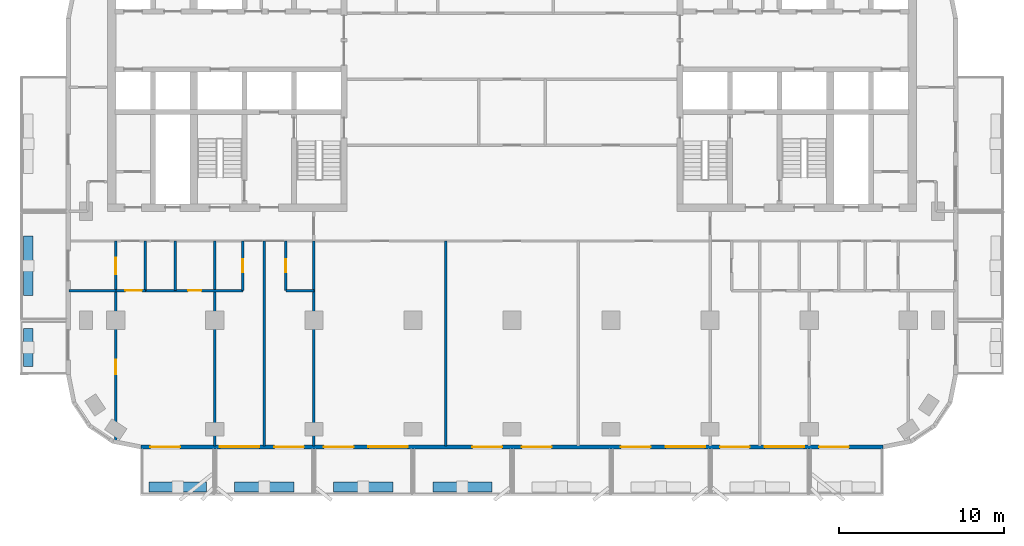
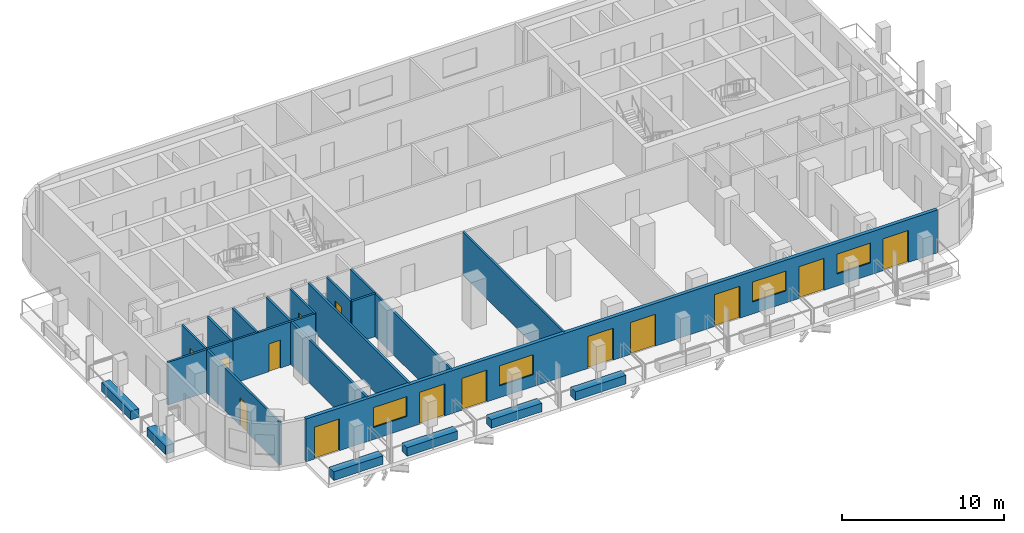
# One storey, part 2 of 11: 21 walls, 14 doors, 4 windows, 18 openings.
"""IFC4 building model written with IfcOpenShell, lengths in metres."""

from ifc_helpers import new_model, si_unit, direction, frame, frame_2d, origin, place, context, subcontext, project, spatial, rectangle, extrude, material, layer, layer_set, type_object, element, fill, save


model = new_model("IFC4")

# Units and contexts
model_context = context("Model", 3, precision=1e-05, world=origin(), true_north=direction((0.0, 1.0)))
body_context = subcontext(model_context, "Body", "Model", "MODEL_VIEW")
ifc_project = project(units=[si_unit("LENGTHUNIT", "METRE"), si_unit("AREAUNIT", "SQUARE_METRE"), si_unit("VOLUMEUNIT", "CUBIC_METRE"), si_unit("PLANEANGLEUNIT", "RADIAN"), si_unit("MASSUNIT", "GRAM", prefix="KILO")], contexts=[model_context])

# Site, building, storey
site_placement = place(None, origin())
site = spatial("IfcSite", under=ifc_project, at=site_placement, CompositionType="ELEMENT")
building_placement = place(site_placement, origin())
building = spatial("IfcBuilding", under=site, at=building_placement, Name="Torana Hotel and Residences", CompositionType="ELEMENT")
storey_placement = place(building_placement, frame((0.0, 0.0, 183.60009765625)))
storey = spatial("IfcBuildingStorey", under=building, at=storey_placement, Name="L47", CompositionType="ELEMENT", Elevation=183.60009765625)

# Wall, openings, doors, windows
ifc_material_1 = material(Name="Black aluminium composite panel", Category="aluminium")
ifc_layer_1 = layer(ifc_material_1, 0.00390625, Name="Cladding", Category="cladding")
ifc_material_2 = material(Name="Ventilated air cavity")
ifc_layer_2 = layer(ifc_material_2, 0.0400390625, Name="Ventilated cavity", Category="cavity")
ifc_material_3 = material(Name="Mineral wool insulation")
ifc_layer_3 = layer(ifc_material_3, 0.090087890625, Name="Insulation", Category="insulation")
ifc_material_4 = material(Name="Steel S280GD", Category="steel")
ifc_layer_4 = layer(ifc_material_4, 0.092041015625, Name="Steel stud frame", Category="structure")
ifc_material_5 = material(Name="Fire rated plasterboard")
ifc_layer_5 = layer(ifc_material_5, 0.011962890625, Name="Inner board", Category="finish")
ifc_layer_6 = layer(ifc_material_5, 0.011962890625, Name="Second board", Category="finish")
ifc_layer_set_1 = layer_set([ifc_layer_1, ifc_layer_2, ifc_layer_3, ifc_layer_4, ifc_layer_5, ifc_layer_6], Name="EW1 EXTERNAL WALL BLACK METAL CLAD 250")
wall_type_1 = type_object("IfcWallType", Name="EW1 EXTERNAL WALL BLACK METAL CLAD 250", PredefinedType="SOLIDWALL", material=ifc_layer_set_1)
wall_1_placement = place(storey_placement, frame((-22.475341796875, -29.27490234375, 0.0), z_axis=(0.0, 0.0, 1.0), x_axis=(1.0, 0.0, 0.0)))
wall_1 = element("IfcWall", 1, at=wall_1_placement, inside=storey, type_object=wall_type_1, Name="External wall L47 e0.14", PredefinedType="SOLIDWALL", context=body_context, shape_type="SweptSolid", body=[
    extrude(rectangle(XDim=44.95068359375, YDim=0.25, at=frame_2d((22.475341796875, 0.0))), origin(), (0.0, 0.0, 1.0), 3.219970703125),
])
opening_1_placement = place(wall_1_placement, frame((0.575439453125, 0.0, 0.0)))
opening_1 = element("IfcOpeningElement", 2, at=opening_1_placement, cuts=wall_1, Name="Opening L47-E01", PredefinedType="OPENING", context=body_context, shape_type="SweptSolid", body=[
    extrude(rectangle(XDim=1.800048828125, YDim=2.39990234375, at=frame_2d((0.89990234375, 1.199951171875))), frame((0.0, 0.135009765625, 0.0), z_axis=(0.0, -1.0, 0.0), x_axis=(1.0, 0.0, 0.0)), (0.0, 0.0, 1.0), 0.27001953125),
])
opening_2_placement = place(wall_1_placement, frame((4.775390625, 0.0, 0.89990234375)))
opening_2 = element("IfcOpeningElement", 3, at=opening_2_placement, cuts=wall_1, Name="Opening W3", PredefinedType="OPENING", context=body_context, shape_type="SweptSolid", body=[
    extrude(rectangle(XDim=2.39990234375, YDim=1.5, at=frame_2d((1.199951171875, 0.75))), frame((0.0, 0.135009765625, 0.0), z_axis=(0.0, -1.0, 0.0), x_axis=(1.0, 0.0, 0.0)), (0.0, 0.0, 1.0), 0.27001953125),
])
opening_3_placement = place(wall_1_placement, frame((8.075439453125, 0.0, 0.0)))
opening_3 = element("IfcOpeningElement", 4, at=opening_3_placement, cuts=wall_1, Name="Opening L47-E02", PredefinedType="OPENING", context=body_context, shape_type="SweptSolid", body=[
    extrude(rectangle(XDim=1.800048828125, YDim=2.39990234375, at=frame_2d((0.89990234375, 1.199951171875))), frame((0.0, 0.135009765625, 0.0), z_axis=(0.0, -1.0, 0.0), x_axis=(1.0, 0.0, 0.0)), (0.0, 0.0, 1.0), 0.27001953125),
])
opening_4_placement = place(wall_1_placement, frame((11.075439453125, 0.0, 0.0)))
opening_4 = element("IfcOpeningElement", 5, at=opening_4_placement, cuts=wall_1, Name="Opening L47-E03", PredefinedType="OPENING", context=body_context, shape_type="SweptSolid", body=[
    extrude(rectangle(XDim=1.800048828125, YDim=2.39990234375, at=frame_2d((0.89990234375, 1.199951171875))), frame((0.0, 0.135009765625, 0.0), z_axis=(0.0, -1.0, 0.0), x_axis=(1.0, 0.0, 0.0)), (0.0, 0.0, 1.0), 0.27001953125),
])
opening_5_placement = place(wall_1_placement, frame((13.775390625, 0.0, 0.89990234375)))
opening_5 = element("IfcOpeningElement", 6, at=opening_5_placement, cuts=wall_1, Name="Opening W3", PredefinedType="OPENING", context=body_context, shape_type="SweptSolid", body=[
    extrude(rectangle(XDim=2.39990234375, YDim=1.5, at=frame_2d((1.199951171875, 0.75))), frame((0.0, 0.135009765625, 0.0), z_axis=(0.0, -1.0, 0.0), x_axis=(1.0, 0.0, 0.0)), (0.0, 0.0, 1.0), 0.27001953125),
])
opening_6_placement = place(wall_1_placement, frame((20.075439453125, 0.0, 0.0)))
opening_6 = element("IfcOpeningElement", 7, at=opening_6_placement, cuts=wall_1, Name="Opening L47-E04", PredefinedType="OPENING", context=body_context, shape_type="SweptSolid", body=[
    extrude(rectangle(XDim=1.800048828125, YDim=2.39990234375, at=frame_2d((0.89990234375, 1.199951171875))), frame((0.0, 0.135009765625, 0.0), z_axis=(0.0, -1.0, 0.0), x_axis=(1.0, 0.0, 0.0)), (0.0, 0.0, 1.0), 0.27001953125),
])
opening_7_placement = place(wall_1_placement, frame((23.075439453125, 0.0, 0.0)))
opening_7 = element("IfcOpeningElement", 8, at=opening_7_placement, cuts=wall_1, Name="Opening L47-E05", PredefinedType="OPENING", context=body_context, shape_type="SweptSolid", body=[
    extrude(rectangle(XDim=1.800048828125, YDim=2.39990234375, at=frame_2d((0.89990234375, 1.199951171875))), frame((0.0, 0.135009765625, 0.0), z_axis=(0.0, -1.0, 0.0), x_axis=(1.0, 0.0, 0.0)), (0.0, 0.0, 1.0), 0.27001953125),
])
opening_8_placement = place(wall_1_placement, frame((29.075439453125, 0.0, 0.0)))
opening_8 = element("IfcOpeningElement", 9, at=opening_8_placement, cuts=wall_1, Name="Opening L47-E06", PredefinedType="OPENING", context=body_context, shape_type="SweptSolid", body=[
    extrude(rectangle(XDim=1.800048828125, YDim=2.39990234375, at=frame_2d((0.89990234375, 1.199951171875))), frame((0.0, 0.135009765625, 0.0), z_axis=(0.0, -1.0, 0.0), x_axis=(1.0, 0.0, 0.0)), (0.0, 0.0, 1.0), 0.27001953125),
])
opening_9_placement = place(wall_1_placement, frame((31.775390625, 0.0, 0.89990234375)))
opening_9 = element("IfcOpeningElement", 10, at=opening_9_placement, cuts=wall_1, Name="Opening W3", PredefinedType="OPENING", context=body_context, shape_type="SweptSolid", body=[
    extrude(rectangle(XDim=2.39990234375, YDim=1.5, at=frame_2d((1.199951171875, 0.75))), frame((0.0, 0.135009765625, 0.0), z_axis=(0.0, -1.0, 0.0), x_axis=(1.0, 0.0, 0.0)), (0.0, 0.0, 1.0), 0.27001953125),
])
opening_10_placement = place(wall_1_placement, frame((35.075439453125, 0.0, 0.0)))
opening_10 = element("IfcOpeningElement", 11, at=opening_10_placement, cuts=wall_1, Name="Opening L47-E07", PredefinedType="OPENING", context=body_context, shape_type="SweptSolid", body=[
    extrude(rectangle(XDim=1.800048828125, YDim=2.39990234375, at=frame_2d((0.89990234375, 1.199951171875))), frame((0.0, 0.135009765625, 0.0), z_axis=(0.0, -1.0, 0.0), x_axis=(1.0, 0.0, 0.0)), (0.0, 0.0, 1.0), 0.27001953125),
])
opening_11_placement = place(wall_1_placement, frame((37.775390625, 0.0, 0.89990234375)))
opening_11 = element("IfcOpeningElement", 12, at=opening_11_placement, cuts=wall_1, Name="Opening W3", PredefinedType="OPENING", context=body_context, shape_type="SweptSolid", body=[
    extrude(rectangle(XDim=2.39990234375, YDim=1.5, at=frame_2d((1.199951171875, 0.75))), frame((0.0, 0.135009765625, 0.0), z_axis=(0.0, -1.0, 0.0), x_axis=(1.0, 0.0, 0.0)), (0.0, 0.0, 1.0), 0.27001953125),
])
opening_12_placement = place(wall_1_placement, frame((41.075439453125, 0.0, 0.0)))
opening_12 = element("IfcOpeningElement", 13, at=opening_12_placement, cuts=wall_1, Name="Opening L47-E08", PredefinedType="OPENING", context=body_context, shape_type="SweptSolid", body=[
    extrude(rectangle(XDim=1.800048828125, YDim=2.39990234375, at=frame_2d((0.89990234375, 1.199951171875))), frame((0.0, 0.135009765625, 0.0), z_axis=(0.0, -1.0, 0.0), x_axis=(1.0, 0.0, 0.0)), (0.0, 0.0, 1.0), 0.27001953125),
])
ifc_material_6 = material(Name="Dark glass in black aluminium frame", Category="aluminium")
door_type_1 = type_object("IfcDoorType", Name="DB1 BALCONY DOOR 1800x2400", OperationType="DOUBLE_DOOR_SINGLE_SWING", PredefinedType="DOOR", material=ifc_material_6)
door_1_placement = place(opening_1_placement, origin())
door_1 = element("IfcDoor", 14, at=door_1_placement, inside=storey, type_object=door_type_1, Name="Balcony door L47", OperationType="DOUBLE_DOOR_SINGLE_SWING", OverallHeight=2.39990234375, OverallWidth=1.800048828125, PredefinedType="DOOR", context=body_context, shape_type="SweptSolid", body=[
    extrude(rectangle(XDim=1.800048828125, YDim=2.39990234375, at=frame_2d((0.89990234375, 1.199951171875))), frame((0.0, 0.02490234375, 0.0), z_axis=(0.0, -1.0, 0.0), x_axis=(1.0, 0.0, 0.0)), (0.0, 0.0, 1.0), 0.050048828125),
])
fill(opening_1, door_1)
door_2_placement = place(opening_3_placement, origin())
door_2 = element("IfcDoor", 15, at=door_2_placement, inside=storey, type_object=door_type_1, Name="Balcony door L47", OperationType="DOUBLE_DOOR_SINGLE_SWING", OverallHeight=2.39990234375, OverallWidth=1.800048828125, PredefinedType="DOOR", context=body_context, shape_type="SweptSolid", body=[
    extrude(rectangle(XDim=1.800048828125, YDim=2.39990234375, at=frame_2d((0.89990234375, 1.199951171875))), frame((0.0, 0.02490234375, 0.0), z_axis=(0.0, -1.0, 0.0), x_axis=(1.0, 0.0, 0.0)), (0.0, 0.0, 1.0), 0.050048828125),
])
fill(opening_3, door_2)
door_3_placement = place(opening_4_placement, origin())
door_3 = element("IfcDoor", 16, at=door_3_placement, inside=storey, type_object=door_type_1, Name="Balcony door L47", OperationType="DOUBLE_DOOR_SINGLE_SWING", OverallHeight=2.39990234375, OverallWidth=1.800048828125, PredefinedType="DOOR", context=body_context, shape_type="SweptSolid", body=[
    extrude(rectangle(XDim=1.800048828125, YDim=2.39990234375, at=frame_2d((0.89990234375, 1.199951171875))), frame((0.0, 0.02490234375, 0.0), z_axis=(0.0, -1.0, 0.0), x_axis=(1.0, 0.0, 0.0)), (0.0, 0.0, 1.0), 0.050048828125),
])
fill(opening_4, door_3)
door_4_placement = place(opening_6_placement, origin())
door_4 = element("IfcDoor", 17, at=door_4_placement, inside=storey, type_object=door_type_1, Name="Balcony door L47", OperationType="DOUBLE_DOOR_SINGLE_SWING", OverallHeight=2.39990234375, OverallWidth=1.800048828125, PredefinedType="DOOR", context=body_context, shape_type="SweptSolid", body=[
    extrude(rectangle(XDim=1.800048828125, YDim=2.39990234375, at=frame_2d((0.89990234375, 1.199951171875))), frame((0.0, 0.02490234375, 0.0), z_axis=(0.0, -1.0, 0.0), x_axis=(1.0, 0.0, 0.0)), (0.0, 0.0, 1.0), 0.050048828125),
])
fill(opening_6, door_4)
door_5_placement = place(opening_7_placement, origin())
door_5 = element("IfcDoor", 18, at=door_5_placement, inside=storey, type_object=door_type_1, Name="Balcony door L47", OperationType="DOUBLE_DOOR_SINGLE_SWING", OverallHeight=2.39990234375, OverallWidth=1.800048828125, PredefinedType="DOOR", context=body_context, shape_type="SweptSolid", body=[
    extrude(rectangle(XDim=1.800048828125, YDim=2.39990234375, at=frame_2d((0.89990234375, 1.199951171875))), frame((0.0, 0.02490234375, 0.0), z_axis=(0.0, -1.0, 0.0), x_axis=(1.0, 0.0, 0.0)), (0.0, 0.0, 1.0), 0.050048828125),
])
fill(opening_7, door_5)
door_6_placement = place(opening_8_placement, origin())
door_6 = element("IfcDoor", 19, at=door_6_placement, inside=storey, type_object=door_type_1, Name="Balcony door L47", OperationType="DOUBLE_DOOR_SINGLE_SWING", OverallHeight=2.39990234375, OverallWidth=1.800048828125, PredefinedType="DOOR", context=body_context, shape_type="SweptSolid", body=[
    extrude(rectangle(XDim=1.800048828125, YDim=2.39990234375, at=frame_2d((0.89990234375, 1.199951171875))), frame((0.0, 0.02490234375, 0.0), z_axis=(0.0, -1.0, 0.0), x_axis=(1.0, 0.0, 0.0)), (0.0, 0.0, 1.0), 0.050048828125),
])
fill(opening_8, door_6)
door_7_placement = place(opening_10_placement, origin())
door_7 = element("IfcDoor", 20, at=door_7_placement, inside=storey, type_object=door_type_1, Name="Balcony door L47", OperationType="DOUBLE_DOOR_SINGLE_SWING", OverallHeight=2.39990234375, OverallWidth=1.800048828125, PredefinedType="DOOR", context=body_context, shape_type="SweptSolid", body=[
    extrude(rectangle(XDim=1.800048828125, YDim=2.39990234375, at=frame_2d((0.89990234375, 1.199951171875))), frame((0.0, 0.02490234375, 0.0), z_axis=(0.0, -1.0, 0.0), x_axis=(1.0, 0.0, 0.0)), (0.0, 0.0, 1.0), 0.050048828125),
])
fill(opening_10, door_7)
door_8_placement = place(opening_12_placement, origin())
door_8 = element("IfcDoor", 21, at=door_8_placement, inside=storey, type_object=door_type_1, Name="Balcony door L47", OperationType="DOUBLE_DOOR_SINGLE_SWING", OverallHeight=2.39990234375, OverallWidth=1.800048828125, PredefinedType="DOOR", context=body_context, shape_type="SweptSolid", body=[
    extrude(rectangle(XDim=1.800048828125, YDim=2.39990234375, at=frame_2d((0.89990234375, 1.199951171875))), frame((0.0, 0.02490234375, 0.0), z_axis=(0.0, -1.0, 0.0), x_axis=(1.0, 0.0, 0.0)), (0.0, 0.0, 1.0), 0.050048828125),
])
fill(opening_12, door_8)
ifc_material_7 = material(Name="Dark glass in black aluminium frame", Category="aluminium")
window_type = type_object("IfcWindowType", Name="W3 RESIDENCE WINDOW 2400x1500", PartitioningType="SINGLE_PANEL", PredefinedType="WINDOW", material=ifc_material_7)
window_1_placement = place(opening_2_placement, origin())
window_1 = element("IfcWindow", 22, at=window_1_placement, inside=storey, type_object=window_type, Name="Window L47", OverallHeight=1.5, OverallWidth=2.39990234375, PartitioningType="SINGLE_PANEL", PredefinedType="WINDOW", context=body_context, shape_type="SweptSolid", body=[
    extrude(rectangle(XDim=2.39990234375, YDim=1.5, at=frame_2d((1.199951171875, 0.75))), frame((0.0, 0.030029296875, 0.0), z_axis=(0.0, -1.0, 0.0), x_axis=(1.0, 0.0, 0.0)), (0.0, 0.0, 1.0), 0.06005859375),
])
fill(opening_2, window_1)
window_2_placement = place(opening_5_placement, origin())
window_2 = element("IfcWindow", 23, at=window_2_placement, inside=storey, type_object=window_type, Name="Window L47", OverallHeight=1.5, OverallWidth=2.39990234375, PartitioningType="SINGLE_PANEL", PredefinedType="WINDOW", context=body_context, shape_type="SweptSolid", body=[
    extrude(rectangle(XDim=2.39990234375, YDim=1.5, at=frame_2d((1.199951171875, 0.75))), frame((0.0, 0.030029296875, 0.0), z_axis=(0.0, -1.0, 0.0), x_axis=(1.0, 0.0, 0.0)), (0.0, 0.0, 1.0), 0.06005859375),
])
fill(opening_5, window_2)
window_3_placement = place(opening_9_placement, origin())
window_3 = element("IfcWindow", 24, at=window_3_placement, inside=storey, type_object=window_type, Name="Window L47", OverallHeight=1.5, OverallWidth=2.39990234375, PartitioningType="SINGLE_PANEL", PredefinedType="WINDOW", context=body_context, shape_type="SweptSolid", body=[
    extrude(rectangle(XDim=2.39990234375, YDim=1.5, at=frame_2d((1.199951171875, 0.75))), frame((0.0, 0.030029296875, 0.0), z_axis=(0.0, -1.0, 0.0), x_axis=(1.0, 0.0, 0.0)), (0.0, 0.0, 1.0), 0.06005859375),
])
fill(opening_9, window_3)
window_4_placement = place(opening_11_placement, origin())
window_4 = element("IfcWindow", 25, at=window_4_placement, inside=storey, type_object=window_type, Name="Window L47", OverallHeight=1.5, OverallWidth=2.39990234375, PartitioningType="SINGLE_PANEL", PredefinedType="WINDOW", context=body_context, shape_type="SweptSolid", body=[
    extrude(rectangle(XDim=2.39990234375, YDim=1.5, at=frame_2d((1.199951171875, 0.75))), frame((0.0, 0.030029296875, 0.0), z_axis=(0.0, -1.0, 0.0), x_axis=(1.0, 0.0, 0.0)), (0.0, 0.0, 1.0), 0.06005859375),
])
fill(opening_11, window_4)

# Wall
ifc_material_8 = material(Name="Gypsum plaster")
ifc_layer_7 = layer(ifc_material_8, 0.014892578125, Name="Plaster", Category="finish")
ifc_material_9 = material(Name="Concrete blockwork", Category="masonry")
ifc_layer_8 = layer(ifc_material_9, 0.1201171875, Name="Blockwork", Category="structure")
ifc_layer_9 = layer(ifc_material_8, 0.014892578125, Name="Plaster", Category="finish")
ifc_layer_set_2 = layer_set([ifc_layer_7, ifc_layer_8, ifc_layer_9], Name="FIRE PARTITION 150 BLOCKWORK")
wall_type_2 = type_object("IfcWallType", Name="FIRE PARTITION 150 BLOCKWORK", PredefinedType="PARTITIONING", material=ifc_layer_set_2)
wall_2_placement = place(storey_placement, frame((-22.199951171875, -19.800048828125, 0.0), z_axis=(0.0, 0.0, 1.0), x_axis=(0.0, 1.0, 0.0)))
element("IfcWall", 26, at=wall_2_placement, inside=storey, type_object=wall_type_2, Name="Partition L47", PredefinedType="PARTITIONING", context=body_context, shape_type="SweptSolid", body=[
    extrude(rectangle(XDim=3.0, YDim=0.14990234375, at=frame_2d((1.5, 0.0))), origin(), (0.0, 0.0, 1.0), 3.219970703125),
])

# Wall, opening, door
wall_3_placement = place(storey_placement, frame((-24.0, -19.800048828125, 0.0), z_axis=(0.0, 0.0, 1.0), x_axis=(0.0, 1.0, 0.0)))
wall_3 = element("IfcWall", 27, at=wall_3_placement, inside=storey, type_object=wall_type_2, Name="Partition L47", PredefinedType="PARTITIONING", context=body_context, shape_type="SweptSolid", body=[
    extrude(rectangle(XDim=3.0, YDim=0.14990234375, at=frame_2d((1.5, 0.0))), origin(), (0.0, 0.0, 1.0), 3.219970703125),
])
opening_13_placement = place(wall_3_placement, frame((0.97998046875, 0.0, 0.0)))
opening_13 = element("IfcOpeningElement", 28, at=opening_13_placement, cuts=wall_3, Name="Opening L47-57", PredefinedType="OPENING", context=body_context, shape_type="SweptSolid", body=[
    extrude(rectangle(XDim=1.0, YDim=2.10009765625, at=frame_2d((0.5, 1.050048828125))), frame((0.0, 0.0849609375, 0.0), z_axis=(0.0, -1.0, 0.0), x_axis=(1.0, 0.0, 0.0)), (0.0, 0.0, 1.0), 0.169921875),
])
ifc_material_10 = material(Name="Steel S235", Category="steel")
door_type_2 = type_object("IfcDoorType", Name="ENTRY FIRE DOOR D6 1000x2100", OperationType="SINGLE_SWING_LEFT", PredefinedType="DOOR", material=ifc_material_10)
door_9_placement = place(opening_13_placement, origin())
door_9 = element("IfcDoor", 29, at=door_9_placement, inside=storey, type_object=door_type_2, Name="Door L47", OperationType="SINGLE_SWING_RIGHT", OverallHeight=2.10009765625, OverallWidth=1.0, PredefinedType="DOOR", context=body_context, shape_type="SweptSolid", body=[
    extrude(rectangle(XDim=1.0, YDim=2.10009765625, at=frame_2d((0.5, 1.050048828125))), frame((0.0, 0.02490234375, 0.0), z_axis=(0.0, -1.0, 0.0), x_axis=(1.0, 0.0, 0.0)), (0.0, 0.0, 1.0), 0.050048828125),
])
fill(opening_13, door_9)

wall_4_placement = place(storey_placement, frame((-24.0, -19.800048828125, 0.0), z_axis=(0.0, 0.0, 1.0), x_axis=(1.0, 0.0, 0.0)))
wall_4 = element("IfcWall", 30, at=wall_4_placement, inside=storey, type_object=wall_type_2, Name="Partition L47", PredefinedType="PARTITIONING", context=body_context, shape_type="SweptSolid", body=[
    extrude(rectangle(XDim=1.800048828125, YDim=0.14990234375, at=frame_2d((0.89990234375, 0.0))), origin(), (0.0, 0.0, 1.0), 3.219970703125),
])
opening_14_placement = place(wall_4_placement, frame((0.580078125, 0.0, 0.0)))
opening_14 = element("IfcOpeningElement", 31, at=opening_14_placement, cuts=wall_4, Name="Opening L47-58", PredefinedType="OPENING", context=body_context, shape_type="SweptSolid", body=[
    extrude(rectangle(XDim=1.0, YDim=2.10009765625, at=frame_2d((0.5, 1.050048828125))), frame((0.0, 0.0849609375, 0.0), z_axis=(0.0, -1.0, 0.0), x_axis=(1.0, 0.0, 0.0)), (0.0, 0.0, 1.0), 0.169921875),
])
door_10_placement = place(opening_14_placement, frame((0.5, 0.0, 0.0), z_axis=(0.0, 0.0, 1.0), x_axis=(-1.0, 0.0, 0.0)))
door_10 = element("IfcDoor", 32, at=door_10_placement, inside=storey, type_object=door_type_2, Name="Door L47", OperationType="SINGLE_SWING_LEFT", OverallHeight=2.10009765625, OverallWidth=1.0, PredefinedType="DOOR", context=body_context, shape_type="SweptSolid", body=[
    extrude(rectangle(XDim=1.0, YDim=2.10009765625, at=frame_2d((0.0, 1.050048828125))), frame((0.0, -0.02490234375, 0.0), z_axis=(0.0, 1.0, 0.0), x_axis=(-1.0, 0.0, 0.0)), (0.0, 0.0, 1.0), 0.050048828125),
])
fill(opening_14, door_10)

# Walls
ifc_material_11 = material(Name="Gypsum plasterboard")
ifc_layer_10 = layer(ifc_material_11, 0.012451171875, Name="Plasterboard", Category="finish")
ifc_layer_11 = layer(ifc_material_11, 0.012451171875, Name="Plasterboard", Category="finish")
ifc_layer_12 = layer(ifc_material_4, 0.10009765625, Name="Steel studs with mineral wool", Category="insulation")
ifc_layer_13 = layer(ifc_material_11, 0.012451171875, Name="Plasterboard", Category="finish")
ifc_layer_14 = layer(ifc_material_11, 0.012451171875, Name="Plasterboard", Category="finish")
ifc_layer_set_3 = layer_set([ifc_layer_10, ifc_layer_11, ifc_layer_12, ifc_layer_13, ifc_layer_14], Name="PARTITION 150 PLASTERBOARD")
wall_type_3 = type_object("IfcWallType", Name="PARTITION 150 PLASTERBOARD", PredefinedType="PARTITIONING", material=ifc_layer_set_3)
for number, where, z_axis, x_axis, name in (
    (33, (-4.0, -29.219970703125, 0.0), (0.0, 0.0, 1.0), (0.0, 1.0, 0.0), "Partition L47"),
    (34, (-12.0, -29.219970703125, 0.0), (0.0, 0.0, 1.0), (0.0, 1.0, 0.0), "Partition L47"),
):
    element("IfcWall", number, at=place(storey_placement, frame(where, z_axis=z_axis, x_axis=x_axis)), inside=storey, type_object=wall_type_3, Name=name, PredefinedType="PARTITIONING", context=body_context, shape_type="SweptSolid", body=[
        extrude(rectangle(XDim=12.419921875, YDim=0.14990234375, at=frame_2d((6.2099609375, 0.0))), origin(), (0.0, 0.0, 1.0), 3.219970703125),
    ])

# Wall, opening, door
wall_5_placement = place(storey_placement, frame((-13.699951171875, -19.800048828125, 0.0), z_axis=(0.0, 0.0, 1.0), x_axis=(0.0, 1.0, 0.0)))
wall_5 = element("IfcWall", 35, at=wall_5_placement, inside=storey, type_object=wall_type_3, Name="Partition L47", PredefinedType="PARTITIONING", context=body_context, shape_type="SweptSolid", body=[
    extrude(rectangle(XDim=3.0, YDim=0.14990234375, at=frame_2d((1.5, 0.0))), origin(), (0.0, 0.0, 1.0), 3.219970703125),
])
opening_15_placement = place(wall_5_placement, frame((1.10009765625, 0.0, 0.0)))
opening_15 = element("IfcOpeningElement", 36, at=opening_15_placement, cuts=wall_5, Name="Opening L47-53", PredefinedType="OPENING", context=body_context, shape_type="SweptSolid", body=[
    extrude(rectangle(XDim=0.800048828125, YDim=2.10009765625, at=frame_2d((0.39990234375, 1.050048828125))), frame((0.0, 0.0849609375, 0.0), z_axis=(0.0, -1.0, 0.0), x_axis=(1.0, 0.0, 0.0)), (0.0, 0.0, 1.0), 0.169921875),
])
ifc_material_12 = material(Name="Timber door, painted", Category="wood")
door_type_3 = type_object("IfcDoorType", Name="BATH DOOR D13 800x2100", OperationType="SINGLE_SWING_LEFT", PredefinedType="DOOR", material=ifc_material_12)
door_11_placement = place(opening_15_placement, origin())
door_11 = element("IfcDoor", 37, at=door_11_placement, inside=storey, type_object=door_type_3, Name="Door L47", OperationType="SINGLE_SWING_LEFT", OverallHeight=2.10009765625, OverallWidth=0.800048828125, PredefinedType="DOOR", context=body_context, shape_type="SweptSolid", body=[
    extrude(rectangle(XDim=0.800048828125, YDim=2.10009765625, at=frame_2d((0.39990234375, 1.050048828125))), frame((0.0, 0.02490234375, 0.0), z_axis=(0.0, -1.0, 0.0), x_axis=(1.0, 0.0, 0.0)), (0.0, 0.0, 1.0), 0.050048828125),
])
fill(opening_15, door_11)

# Wall
wall_6_placement = place(storey_placement, frame((-15.0, -29.219970703125, 0.0), z_axis=(0.0, 0.0, 1.0), x_axis=(0.0, 1.0, 0.0)))
element("IfcWall", 38, at=wall_6_placement, inside=storey, type_object=wall_type_3, Name="Partition L47", PredefinedType="PARTITIONING", context=body_context, shape_type="SweptSolid", body=[
    extrude(rectangle(XDim=12.419921875, YDim=0.14990234375, at=frame_2d((6.2099609375, 0.0))), origin(), (0.0, 0.0, 1.0), 3.219970703125),
])

# Wall, opening, door
wall_7_placement = place(storey_placement, frame((-16.300048828125, -19.800048828125, 0.0), z_axis=(0.0, 0.0, 1.0), x_axis=(0.0, 1.0, 0.0)))
wall_7 = element("IfcWall", 39, at=wall_7_placement, inside=storey, type_object=wall_type_3, Name="Partition L47", PredefinedType="PARTITIONING", context=body_context, shape_type="SweptSolid", body=[
    extrude(rectangle(XDim=3.0, YDim=0.14990234375, at=frame_2d((1.5, 0.0))), origin(), (0.0, 0.0, 1.0), 3.219970703125),
])
opening_16_placement = place(wall_7_placement, frame((1.10009765625, 0.0, 0.0)))
opening_16 = element("IfcOpeningElement", 40, at=opening_16_placement, cuts=wall_7, Name="Opening L47-54", PredefinedType="OPENING", context=body_context, shape_type="SweptSolid", body=[
    extrude(rectangle(XDim=0.800048828125, YDim=2.10009765625, at=frame_2d((0.39990234375, 1.050048828125))), frame((0.0, 0.0849609375, 0.0), z_axis=(0.0, -1.0, 0.0), x_axis=(1.0, 0.0, 0.0)), (0.0, 0.0, 1.0), 0.169921875),
])
door_12_placement = place(opening_16_placement, origin())
door_12 = element("IfcDoor", 41, at=door_12_placement, inside=storey, type_object=door_type_3, Name="Door L47", OperationType="SINGLE_SWING_RIGHT", OverallHeight=2.10009765625, OverallWidth=0.800048828125, PredefinedType="DOOR", context=body_context, shape_type="SweptSolid", body=[
    extrude(rectangle(XDim=0.800048828125, YDim=2.10009765625, at=frame_2d((0.39990234375, 1.050048828125))), frame((0.0, 0.02490234375, 0.0), z_axis=(0.0, -1.0, 0.0), x_axis=(1.0, 0.0, 0.0)), (0.0, 0.0, 1.0), 0.050048828125),
])
fill(opening_16, door_12)

# Walls
wall_8_placement = place(storey_placement, frame((-18.0, -29.219970703125, 0.0), z_axis=(0.0, 0.0, 1.0), x_axis=(0.0, 1.0, 0.0)))
element("IfcWall", 42, at=wall_8_placement, inside=storey, type_object=wall_type_3, Name="Partition L47", PredefinedType="PARTITIONING", context=body_context, shape_type="SweptSolid", body=[
    extrude(rectangle(XDim=12.419921875, YDim=0.14990234375, at=frame_2d((6.2099609375, 0.0))), origin(), (0.0, 0.0, 1.0), 3.219970703125),
])
wall_9_placement = place(storey_placement, frame((-20.39990234375, -19.800048828125, 0.0), z_axis=(0.0, 0.0, 1.0), x_axis=(0.0, 1.0, 0.0)))
element("IfcWall", 43, at=wall_9_placement, inside=storey, type_object=wall_type_3, Name="Partition L47", PredefinedType="PARTITIONING", context=body_context, shape_type="SweptSolid", body=[
    extrude(rectangle(XDim=3.0, YDim=0.14990234375, at=frame_2d((1.5, 0.0))), origin(), (0.0, 0.0, 1.0), 3.219970703125),
])

# Wall, opening, door
wall_10_placement = place(storey_placement, frame((-24.0, -28.918212890625, 0.0), z_axis=(0.0, 0.0, 1.0), x_axis=(0.0, 1.0, 0.0)))
wall_10 = element("IfcWall", 44, at=wall_10_placement, inside=storey, type_object=wall_type_3, Name="Partition L47", PredefinedType="PARTITIONING", context=body_context, shape_type="SweptSolid", body=[
    extrude(rectangle(XDim=9.1181640625, YDim=0.14990234375, at=frame_2d((4.55908203125, 0.0))), origin(), (0.0, 0.0, 1.0), 3.219970703125),
])
opening_17_placement = place(wall_10_placement, frame((4.0361328125, 0.0, 0.0)))
opening_17 = element("IfcOpeningElement", 45, at=opening_17_placement, cuts=wall_10, Name="Opening L47-59", PredefinedType="OPENING", context=body_context, shape_type="SweptSolid", body=[
    extrude(rectangle(XDim=0.89990234375, YDim=2.10009765625, at=frame_2d((0.449951171875, 1.050048828125))), frame((0.0, 0.0849609375, 0.0), z_axis=(0.0, -1.0, 0.0), x_axis=(1.0, 0.0, 0.0)), (0.0, 0.0, 1.0), 0.169921875),
])
ifc_material_13 = material(Name="Timber door, oiled ash", Category="wood")
door_type_4 = type_object("IfcDoorType", Name="ROOM DOOR D7 900x2100", OperationType="SINGLE_SWING_LEFT", PredefinedType="DOOR", material=ifc_material_13)
door_13_placement = place(opening_17_placement, origin())
door_13 = element("IfcDoor", 46, at=door_13_placement, inside=storey, type_object=door_type_4, Name="Door L47", OperationType="SINGLE_SWING_RIGHT", OverallHeight=2.10009765625, OverallWidth=0.89990234375, PredefinedType="DOOR", context=body_context, shape_type="SweptSolid", body=[
    extrude(rectangle(XDim=0.89990234375, YDim=2.10009765625, at=frame_2d((0.449951171875, 1.050048828125))), frame((0.0, 0.02490234375, 0.0), z_axis=(0.0, -1.0, 0.0), x_axis=(1.0, 0.0, 0.0)), (0.0, 0.0, 1.0), 0.050048828125),
])
fill(opening_17, door_13)

# Wall
wall_11_placement = place(storey_placement, frame((-26.820068359375, -19.800048828125, 0.0), z_axis=(0.0, 0.0, 1.0), x_axis=(1.0, 0.0, 0.0)))
element("IfcWall", 47, at=wall_11_placement, inside=storey, type_object=wall_type_3, Name="Partition L47", PredefinedType="PARTITIONING", context=body_context, shape_type="SweptSolid", body=[
    extrude(rectangle(XDim=2.820068359375, YDim=0.14990234375, at=frame_2d((1.41015625, 0.0))), origin(), (0.0, 0.0, 1.0), 3.219970703125),
])

# Wall, opening, door
wall_12_placement = place(storey_placement, frame((-22.199951171875, -19.800048828125, 0.0), z_axis=(0.0, 0.0, 1.0), x_axis=(1.0, 0.0, 0.0)))
wall_12 = element("IfcWall", 48, at=wall_12_placement, inside=storey, type_object=wall_type_3, Name="Partition L47", PredefinedType="PARTITIONING", context=body_context, shape_type="SweptSolid", body=[
    extrude(rectangle(XDim=5.89990234375, YDim=0.14990234375, at=frame_2d((2.949951171875, 0.0))), origin(), (0.0, 0.0, 1.0), 3.219970703125),
])
opening_18_placement = place(wall_12_placement, frame((2.580078125, 0.0, 0.0)))
opening_18 = element("IfcOpeningElement", 49, at=opening_18_placement, cuts=wall_12, Name="Opening L47-56", PredefinedType="OPENING", context=body_context, shape_type="SweptSolid", body=[
    extrude(rectangle(XDim=0.800048828125, YDim=2.10009765625, at=frame_2d((0.39990234375, 1.050048828125))), frame((0.0, 0.0849609375, 0.0), z_axis=(0.0, -1.0, 0.0), x_axis=(1.0, 0.0, 0.0)), (0.0, 0.0, 1.0), 0.169921875),
])
door_14_placement = place(opening_18_placement, origin())
door_14 = element("IfcDoor", 50, at=door_14_placement, inside=storey, type_object=door_type_3, Name="Door L47", OperationType="SINGLE_SWING_RIGHT", OverallHeight=2.10009765625, OverallWidth=0.800048828125, PredefinedType="DOOR", context=body_context, shape_type="SweptSolid", body=[
    extrude(rectangle(XDim=0.800048828125, YDim=2.10009765625, at=frame_2d((0.39990234375, 1.050048828125))), frame((0.0, 0.02490234375, 0.0), z_axis=(0.0, -1.0, 0.0), x_axis=(1.0, 0.0, 0.0)), (0.0, 0.0, 1.0), 0.050048828125),
])
fill(opening_18, door_14)

# Walls
wall_13_placement = place(storey_placement, frame((-13.699951171875, -19.800048828125, 0.0), z_axis=(0.0, 0.0, 1.0), x_axis=(1.0, 0.0, 0.0)))
element("IfcWall", 51, at=wall_13_placement, inside=storey, type_object=wall_type_3, Name="Partition L47", PredefinedType="PARTITIONING", context=body_context, shape_type="SweptSolid", body=[
    extrude(rectangle(XDim=1.699951171875, YDim=0.14990234375, at=frame_2d((0.85009765625, 0.0))), origin(), (0.0, 0.0, 1.0), 3.219970703125),
])
ifc_material_14 = material(Name="Concrete C40/50 precast", Category="concrete")
ifc_layer_15 = layer(ifc_material_14, 0.10009765625, Name="Planter shell", Category="structure")
ifc_material_15 = material(Name="Root resistant membrane")
ifc_layer_16 = layer(ifc_material_15, 0.00390625, Name="Waterproofing membrane", Category="membrane")
ifc_material_16 = material(Name="Drainage board with filter fleece")
ifc_layer_17 = layer(ifc_material_16, 0.02001953125, Name="Drainage board", Category="drainage")
ifc_material_17 = material(Name="Growing medium")
ifc_layer_18 = layer(ifc_material_17, 0.47607421875, Name="Planting substrate", Category="soil")
ifc_layer_set_4 = layer_set([ifc_layer_15, ifc_layer_16, ifc_layer_17, ifc_layer_18], Name="PL1 BALCONY PLANTER 600")
wall_type_4 = type_object("IfcWallType", Name="PL1 BALCONY PLANTER 600", PredefinedType="USERDEFINED", material=ifc_layer_set_4)
wall_14_placement = place(storey_placement, frame((-18.5, -31.699951171875, 0.0), z_axis=(0.0, 0.0, 1.0), x_axis=(-1.0, 0.0, 0.0)))
element("IfcWall", 52, at=wall_14_placement, inside=storey, type_object=wall_type_4, Name="Planter 01", ObjectType="PLANTER", PredefinedType="USERDEFINED", context=body_context, shape_type="SweptSolid", body=[
    extrude(rectangle(XDim=3.5, YDim=0.60009765625, at=frame_2d((1.75, 0.0))), origin(), (0.0, 0.0, 1.0), 0.64990234375),
])
for number, where, z_axis, x_axis, name in (
    (53, (-13.199951171875, -31.699951171875, 0.0), (0.0, 0.0, 1.0), (-1.0, 0.0, 0.0), "Planter 02"),
    (54, (-7.199951171875, -31.699951171875, 0.0), (0.0, 0.0, 1.0), (-1.0, 0.0, 0.0), "Planter 03"),
    (55, (-1.199951171875, -31.699951171875, 0.0), (0.0, 0.0, 1.0), (-1.0, 0.0, 0.0), "Planter 04"),
):
    element("IfcWall", number, at=place(storey_placement, frame(where, z_axis=z_axis, x_axis=x_axis)), inside=storey, type_object=wall_type_4, Name=name, ObjectType="PLANTER", PredefinedType="USERDEFINED", context=body_context, shape_type="SweptSolid", body=[
        extrude(rectangle(XDim=3.60009765625, YDim=0.60009765625, at=frame_2d((1.800048828125, 0.0))), origin(), (0.0, 0.0, 1.0), 0.64990234375),
    ])
wall_15_placement = place(storey_placement, frame((-29.300048828125, -24.39990234375, 0.0), z_axis=(0.0, 0.0, 1.0), x_axis=(0.0, 1.0, 0.0)))
element("IfcWall", 56, at=wall_15_placement, inside=storey, type_object=wall_type_4, Name="Planter 09", ObjectType="PLANTER", PredefinedType="USERDEFINED", context=body_context, shape_type="SweptSolid", body=[
    extrude(rectangle(XDim=2.2998046875, YDim=0.60009765625, at=frame_2d((1.14990234375, 0.0))), origin(), (0.0, 0.0, 1.0), 0.64990234375),
])
wall_16_placement = place(storey_placement, frame((-29.300048828125, -20.10009765625, 0.0), z_axis=(0.0, 0.0, 1.0), x_axis=(0.0, 1.0, 0.0)))
element("IfcWall", 57, at=wall_16_placement, inside=storey, type_object=wall_type_4, Name="Planter 10", ObjectType="PLANTER", PredefinedType="USERDEFINED", context=body_context, shape_type="SweptSolid", body=[
    extrude(rectangle(XDim=3.60009765625, YDim=0.60009765625, at=frame_2d((1.800048828125, 0.0))), origin(), (0.0, 0.0, 1.0), 0.64990234375),
])

save(model, "model.ifc")
